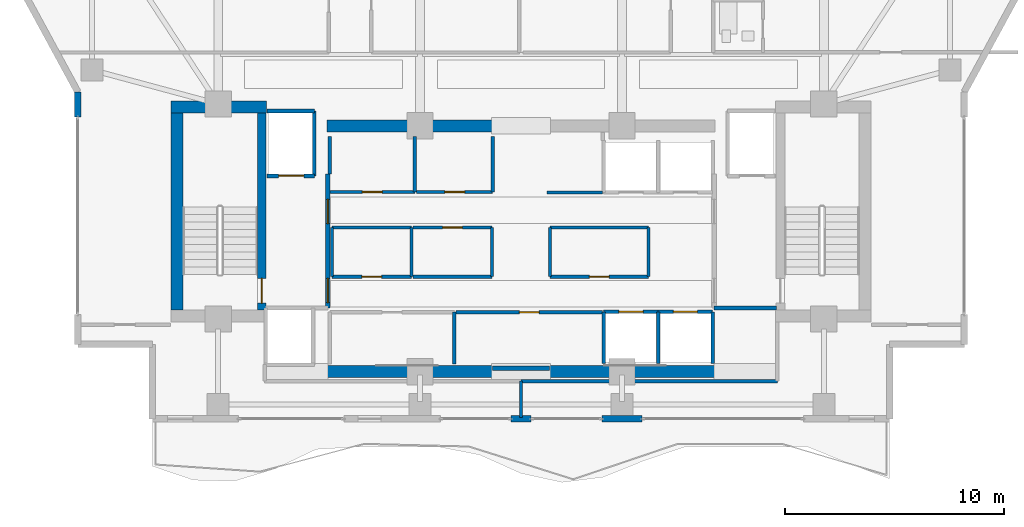
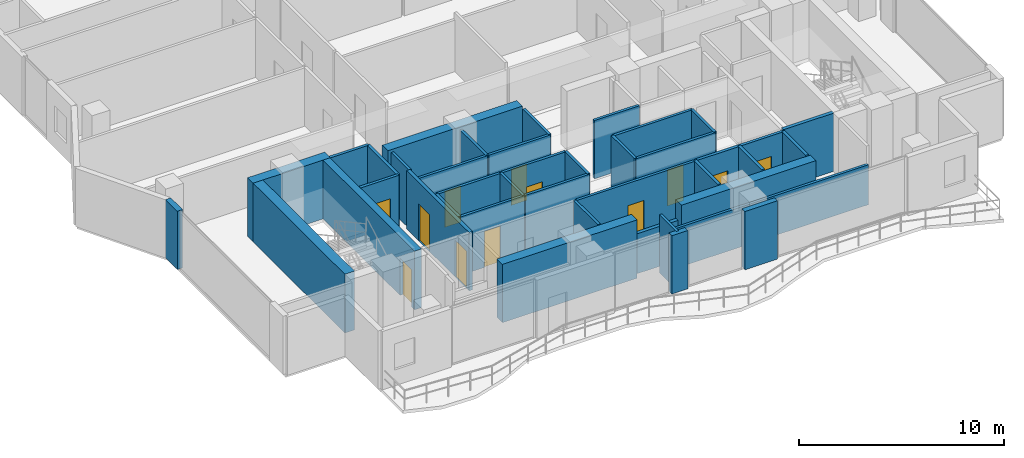
# One storey, part 17 of 23: 41 walls, 12 doors, 12 openings.
"""IFC4 building model written with IfcOpenShell, lengths in metres."""

from ifc_helpers import new_model, si_unit, direction, frame, frame_2d, origin, place, context, subcontext, project, spatial, rectangle, extrude, material, layer, layer_set, type_object, element, fill, save


model = new_model("IFC4")

# Units and contexts
model_context = context("Model", 3, precision=1e-05, world=origin(), true_north=direction((0.0, 1.0)))
body_context = subcontext(model_context, "Body", "Model", "MODEL_VIEW")
ifc_project = project(units=[si_unit("LENGTHUNIT", "METRE"), si_unit("AREAUNIT", "SQUARE_METRE"), si_unit("VOLUMEUNIT", "CUBIC_METRE"), si_unit("PLANEANGLEUNIT", "RADIAN"), si_unit("MASSUNIT", "GRAM", prefix="KILO")], contexts=[model_context])

# Site, building, storey
site_placement = place(None, origin())
site = spatial("IfcSite", under=ifc_project, at=site_placement, CompositionType="ELEMENT")
building_placement = place(site_placement, origin())
building = spatial("IfcBuilding", under=site, at=building_placement, Name="Zuhayl Quay Hotel", CompositionType="ELEMENT")
storey_placement = place(building_placement, frame((0.0, 0.0, 265.550048828125)))
storey = spatial("IfcBuildingStorey", under=building, at=storey_placement, Name="L67", CompositionType="ELEMENT", Elevation=265.550048828125)

# Walls
ifc_material_1 = material(Name="Concrete C50/60", Category="concrete")
ifc_layer_1 = layer(ifc_material_1, 0.550048828125, Name="Concrete C50/60", Category="concrete")
ifc_layer_set_1 = layer_set([ifc_layer_1], Name="Concrete C50/60")
wall_type_1 = type_object("IfcWallType", Name="WL_CORE_550", PredefinedType="SHEAR", material=ifc_layer_set_1)
wall_1_placement = place(storey_placement, frame((-15.9599609375, 14.205078125, 0.0), z_axis=(0.0, 0.0, 1.0), x_axis=(1.0, 0.0, 0.0)))
element("IfcWall", 1, at=wall_1_placement, inside=storey, type_object=wall_type_1, Name="L67 Core Shear Wall CW_NW", PredefinedType="SHEAR", context=body_context, shape_type="SweptSolid", body=[
    extrude(rectangle(XDim=4.35986328125, YDim=0.550048828125, at=frame_2d((2.179931640625, 0.0))), origin(), (0.0, 0.0, 1.0), 3.510009765625),
])
wall_2_placement = place(storey_placement, frame((-15.68505859375, 4.969970703125, 0.0), z_axis=(0.0, 0.0, 1.0), x_axis=(0.0, 1.0, 0.0)))
element("IfcWall", 2, at=wall_2_placement, inside=storey, type_object=wall_type_1, Name="L67 Core Shear Wall CW_W", PredefinedType="SHEAR", context=body_context, shape_type="SweptSolid", body=[
    extrude(rectangle(XDim=8.9599609375, YDim=0.550048828125, at=frame_2d((4.47998046875, 0.0))), origin(), (0.0, 0.0, 1.0), 3.510009765625),
])
for number, where, z_axis, x_axis, name in (
    (3, (-8.85009765625, 2.14990234375, 0.0), (0.0, 0.0, 1.0), (1.0, 0.0, 0.0), "L67 Core Shear Wall CW_SC_W"),
    (4, (1.25, 2.14990234375, 0.0), (0.0, 0.0, 1.0), (1.0, 0.0, 0.0), "L67 Core Shear Wall CW_SC_E"),
    (5, (-8.85009765625, 13.35009765625, 0.0), (0.0, 0.0, 1.0), (1.0, 0.0, 0.0), "L67 Core Shear Wall CW_NC_W"),
):
    element("IfcWall", number, at=place(storey_placement, frame(where, z_axis=z_axis, x_axis=x_axis)), inside=storey, type_object=wall_type_1, Name=name, PredefinedType="SHEAR", context=body_context, shape_type="SweptSolid", body=[
        extrude(rectangle(XDim=7.60009765625, YDim=0.550048828125, at=frame_2d((3.800048828125, 0.0))), origin(), (0.0, 0.0, 1.0), 3.47998046875),
    ])
ifc_material_2 = material(Name="Precast concrete C45/55", Category="concrete")
ifc_layer_2 = layer(ifc_material_2, 0.300048828125, Name="Precast concrete C45/55", Category="concrete")
ifc_layer_set_2 = layer_set([ifc_layer_2], Name="Precast concrete C45/55")
wall_type_2 = type_object("IfcWallType", Name="WL_EXT_300", PredefinedType="STANDARD", material=ifc_layer_set_2)
wall_3_placement = place(storey_placement, frame((-20.199951171875, 13.75, 0.0), z_axis=(0.0, 0.0, 1.0), x_axis=(0.0, 1.0, 0.0)))
element("IfcWall", 6, at=wall_3_placement, inside=storey, type_object=wall_type_2, Name="L67 Exterior Precast Wall ENV_L67_E02_EW2", PredefinedType="STANDARD", context=body_context, shape_type="SweptSolid", body=[
    extrude(rectangle(XDim=1.14990234375, YDim=0.300048828125, at=frame_2d((0.574951171875, 0.0))), origin(), (0.0, 0.0, 1.0), 3.47998046875),
])
wall_4_placement = place(storey_placement, frame((5.52001953125, 0.0, 0.0), z_axis=(0.0, 0.0, 1.0), x_axis=(-1.0, 0.0, 0.0)))
element("IfcWall", 7, at=wall_4_placement, inside=storey, type_object=wall_type_2, Name="L67 Exterior Precast Wall ENV_L67_S_EW2", PredefinedType="STANDARD", context=body_context, shape_type="SweptSolid", body=[
    extrude(rectangle(XDim=1.840087890625, YDim=0.300048828125, at=frame_2d((0.919921875, 0.0))), origin(), (0.0, 0.0, 1.0), 3.47998046875),
])
wall_5_placement = place(storey_placement, frame((0.449951171875, 0.0, 0.0), z_axis=(0.0, 0.0, 1.0), x_axis=(-1.0, 0.0, 0.0)))
element("IfcWall", 8, at=wall_5_placement, inside=storey, type_object=wall_type_2, Name="L67 Exterior Precast Wall ENV_L67_S_EW3", PredefinedType="STANDARD", context=body_context, shape_type="SweptSolid", body=[
    extrude(rectangle(XDim=0.89990234375, YDim=0.300048828125, at=frame_2d((0.449951171875, 0.0))), origin(), (0.0, 0.0, 1.0), 3.47998046875),
])

# Wall, opening, door
ifc_material_3 = material(Name="Acoustic Gypsum Partition STC-58")
ifc_layer_3 = layer(ifc_material_3, 0.14990234375, Name="Acoustic Gypsum Partition STC-58")
ifc_layer_set_3 = layer_set([ifc_layer_3], Name="Acoustic Gypsum Partition STC-58")
wall_type_3 = type_object("IfcWallType", Name="WL_PART_150", PredefinedType="PARTITIONING", material=ifc_layer_set_3)
wall_6_placement = place(storey_placement, frame((-2.9599609375, 4.860107421875, 0.0), z_axis=(0.0, 0.0, 1.0), x_axis=(1.0, 0.0, 0.0)))
wall_6 = element("IfcWall", 9, at=wall_6_placement, inside=storey, type_object=wall_type_3, Name="L67 Partition IW_L67_FMP_SE_N", PredefinedType="PARTITIONING", context=body_context, shape_type="SweptSolid", body=[
    extrude(rectangle(XDim=6.669921875, YDim=0.14990234375, at=frame_2d((3.3349609375, 0.0))), origin(), (0.0, 0.0, 1.0), 3.47998046875),
])
opening_1_placement = place(wall_6_placement, frame((2.885009765625, 0.0, 0.0)))
opening_1 = element("IfcOpeningElement", 10, at=opening_1_placement, cuts=wall_6, Name="Opening D06", PredefinedType="OPENING", context=body_context, shape_type="SweptSolid", body=[
    extrude(rectangle(XDim=0.89990234375, YDim=2.14990234375, at=frame_2d((0.449951171875, 1.074951171875))), frame((0.0, 0.0849609375, 0.0), z_axis=(0.0, -1.0, 0.0), x_axis=(1.0, 0.0, 0.0)), (0.0, 0.0, 1.0), 0.169921875),
])
ifc_material_4 = material(Name="Steel ASTM A992 Grade 50", Category="steel")
door_type_1 = type_object("IfcDoorType", Name="DR_INT_900", OperationType="NOTDEFINED", PredefinedType="DOOR", material=ifc_material_4)
door_1_placement = place(opening_1_placement, origin())
door_1 = element("IfcDoor", 11, at=door_1_placement, inside=storey, type_object=door_type_1, Name="L67 East Butler Store Door", OperationType="SINGLE_SWING_LEFT", OverallHeight=2.14990234375, OverallWidth=0.89990234375, PredefinedType="DOOR", context=body_context, shape_type="SweptSolid", body=[
    extrude(rectangle(XDim=0.89990234375, YDim=2.14990234375, at=frame_2d((0.449951171875, 1.074951171875))), frame((0.0, 0.02490234375, 0.0), z_axis=(0.0, -1.0, 0.0), x_axis=(1.0, 0.0, 0.0)), (0.0, 0.0, 1.0), 0.050048828125),
])
fill(opening_1, door_1)

wall_7_placement = place(storey_placement, frame((-8.7099609375, 10.340087890625, 0.0), z_axis=(0.0, 0.0, 1.0), x_axis=(1.0, 0.0, 0.0)))
wall_7 = element("IfcWall", 12, at=wall_7_placement, inside=storey, type_object=wall_type_3, Name="L67 Partition IW_L67_FMP_NW1_S", PredefinedType="PARTITIONING", context=body_context, shape_type="SweptSolid", body=[
    extrude(rectangle(XDim=3.869873046875, YDim=0.14990234375, at=frame_2d((1.93505859375, 0.0))), origin(), (0.0, 0.0, 1.0), 3.47998046875),
])
opening_2_placement = place(wall_7_placement, frame((1.485107421875, 0.0, 0.0)))
opening_2 = element("IfcOpeningElement", 13, at=opening_2_placement, cuts=wall_7, Name="Opening D06", PredefinedType="OPENING", context=body_context, shape_type="SweptSolid", body=[
    extrude(rectangle(XDim=0.89990234375, YDim=2.14990234375, at=frame_2d((0.449951171875, 1.074951171875))), frame((0.0, 0.0849609375, 0.0), z_axis=(0.0, -1.0, 0.0), x_axis=(1.0, 0.0, 0.0)), (0.0, 0.0, 1.0), 0.169921875),
])
door_2_placement = place(opening_2_placement, origin())
door_2 = element("IfcDoor", 14, at=door_2_placement, inside=storey, type_object=door_type_1, Name="L67 High-Zone Valet Store Door", OperationType="SINGLE_SWING_RIGHT", OverallHeight=2.14990234375, OverallWidth=0.89990234375, PredefinedType="DOOR", context=body_context, shape_type="SweptSolid", body=[
    extrude(rectangle(XDim=0.89990234375, YDim=2.14990234375, at=frame_2d((0.449951171875, 1.074951171875))), frame((0.0, 0.02490234375, 0.0), z_axis=(0.0, -1.0, 0.0), x_axis=(1.0, 0.0, 0.0)), (0.0, 0.0, 1.0), 0.050048828125),
])
fill(opening_2, door_2)

wall_8_placement = place(storey_placement, frame((-4.760009765625, 10.340087890625, 0.0), z_axis=(0.0, 0.0, 1.0), x_axis=(1.0, 0.0, 0.0)))
wall_8 = element("IfcWall", 15, at=wall_8_placement, inside=storey, type_object=wall_type_3, Name="L67 Partition IW_L67_FMP_NW2_S", PredefinedType="PARTITIONING", context=body_context, shape_type="SweptSolid", body=[
    extrude(rectangle(XDim=3.469970703125, YDim=0.14990234375, at=frame_2d((1.73486328125, 0.0))), origin(), (0.0, 0.0, 1.0), 3.47998046875),
])
opening_3_placement = place(wall_8_placement, frame((1.284912109375, 0.0, 0.0)))
opening_3 = element("IfcOpeningElement", 16, at=opening_3_placement, cuts=wall_8, Name="Opening D06", PredefinedType="OPENING", context=body_context, shape_type="SweptSolid", body=[
    extrude(rectangle(XDim=0.89990234375, YDim=2.14990234375, at=frame_2d((0.449951171875, 1.074951171875))), frame((0.0, 0.0849609375, 0.0), z_axis=(0.0, -1.0, 0.0), x_axis=(1.0, 0.0, 0.0)), (0.0, 0.0, 1.0), 0.169921875),
])
door_3_placement = place(opening_3_placement, origin())
door_3 = element("IfcDoor", 17, at=door_3_placement, inside=storey, type_object=door_type_1, Name="L67 North Linen Closet Door", OperationType="SINGLE_SWING_LEFT", OverallHeight=2.14990234375, OverallWidth=0.89990234375, PredefinedType="DOOR", context=body_context, shape_type="SweptSolid", body=[
    extrude(rectangle(XDim=0.89990234375, YDim=2.14990234375, at=frame_2d((0.449951171875, 1.074951171875))), frame((0.0, 0.02490234375, 0.0), z_axis=(0.0, -1.0, 0.0), x_axis=(1.0, 0.0, 0.0)), (0.0, 0.0, 1.0), 0.050048828125),
])
fill(opening_3, door_3)

wall_9_placement = place(storey_placement, frame((-8.610107421875, 6.47998046875, 0.0), z_axis=(0.0, 0.0, 1.0), x_axis=(1.0, 0.0, 0.0)))
wall_9 = element("IfcWall", 18, at=wall_9_placement, inside=storey, type_object=wall_type_3, Name="L67 Partition IW_L67_CORE_SW_S", PredefinedType="PARTITIONING", context=body_context, shape_type="SweptSolid", body=[
    extrude(rectangle(XDim=3.6201171875, YDim=0.14990234375, at=frame_2d((1.81005859375, 0.0))), origin(), (0.0, 0.0, 1.0), 3.47998046875),
])
opening_4_placement = place(wall_9_placement, frame((1.360107421875, 0.0, 0.0)))
opening_4 = element("IfcOpeningElement", 19, at=opening_4_placement, cuts=wall_9, Name="Opening D06", PredefinedType="OPENING", context=body_context, shape_type="SweptSolid", body=[
    extrude(rectangle(XDim=0.89990234375, YDim=2.14990234375, at=frame_2d((0.449951171875, 1.074951171875))), frame((0.0, 0.0849609375, 0.0), z_axis=(0.0, -1.0, 0.0), x_axis=(1.0, 0.0, 0.0)), (0.0, 0.0, 1.0), 0.169921875),
])
door_4_placement = place(opening_4_placement, origin())
door_4 = element("IfcDoor", 20, at=door_4_placement, inside=storey, type_object=door_type_1, Name="L67 Floor Switchgear Closet Door", OperationType="SINGLE_SWING_RIGHT", OverallHeight=2.14990234375, OverallWidth=0.89990234375, PredefinedType="DOOR", context=body_context, shape_type="SweptSolid", body=[
    extrude(rectangle(XDim=0.89990234375, YDim=2.14990234375, at=frame_2d((0.449951171875, 1.074951171875))), frame((0.0, 0.02490234375, 0.0), z_axis=(0.0, -1.0, 0.0), x_axis=(1.0, 0.0, 0.0)), (0.0, 0.0, 1.0), 0.050048828125),
])
fill(opening_4, door_4)

wall_10_placement = place(storey_placement, frame((-4.929931640625, 8.719970703125, 0.0), z_axis=(0.0, 0.0, 1.0), x_axis=(1.0, 0.0, 0.0)))
wall_10 = element("IfcWall", 21, at=wall_10_placement, inside=storey, type_object=wall_type_3, Name="L67 Partition IW_L67_CORE_BM_N", PredefinedType="PARTITIONING", context=body_context, shape_type="SweptSolid", body=[
    extrude(rectangle(XDim=3.60986328125, YDim=0.14990234375, at=frame_2d((1.804931640625, 0.0))), origin(), (0.0, 0.0, 1.0), 3.47998046875),
])
opening_5_placement = place(wall_10_placement, frame((1.35498046875, 0.0, 0.0)))
opening_5 = element("IfcOpeningElement", 22, at=opening_5_placement, cuts=wall_10, Name="Opening D06", PredefinedType="OPENING", context=body_context, shape_type="SweptSolid", body=[
    extrude(rectangle(XDim=0.89990234375, YDim=2.14990234375, at=frame_2d((0.449951171875, 1.074951171875))), frame((0.0, 0.0849609375, 0.0), z_axis=(0.0, -1.0, 0.0), x_axis=(1.0, 0.0, 0.0)), (0.0, 0.0, 1.0), 0.169921875),
])
door_5_placement = place(opening_5_placement, origin())
door_5 = element("IfcDoor", 23, at=door_5_placement, inside=storey, type_object=door_type_1, Name="L67 Telecom and BMS Closet Door", OperationType="SINGLE_SWING_LEFT", OverallHeight=2.14990234375, OverallWidth=0.89990234375, PredefinedType="DOOR", context=body_context, shape_type="SweptSolid", body=[
    extrude(rectangle(XDim=0.89990234375, YDim=2.14990234375, at=frame_2d((0.449951171875, 1.074951171875))), frame((0.0, 0.02490234375, 0.0), z_axis=(0.0, -1.0, 0.0), x_axis=(1.0, 0.0, 0.0)), (0.0, 0.0, 1.0), 0.050048828125),
])
fill(opening_5, door_5)

wall_11_placement = place(storey_placement, frame((1.320068359375, 6.47998046875, 0.0), z_axis=(0.0, 0.0, 1.0), x_axis=(1.0, 0.0, 0.0)))
wall_11 = element("IfcWall", 24, at=wall_11_placement, inside=storey, type_object=wall_type_3, Name="L67 Partition IW_L67_CORE_PN_S", PredefinedType="PARTITIONING", context=body_context, shape_type="SweptSolid", body=[
    extrude(rectangle(XDim=4.489990234375, YDim=0.14990234375, at=frame_2d((2.2451171875, 0.0))), origin(), (0.0, 0.0, 1.0), 3.47998046875),
])
opening_6_placement = place(wall_11_placement, frame((1.794921875, 0.0, 0.0)))
opening_6 = element("IfcOpeningElement", 25, at=opening_6_placement, cuts=wall_11, Name="Opening D06", PredefinedType="OPENING", context=body_context, shape_type="SweptSolid", body=[
    extrude(rectangle(XDim=0.89990234375, YDim=2.14990234375, at=frame_2d((0.449951171875, 1.074951171875))), frame((0.0, 0.0849609375, 0.0), z_axis=(0.0, -1.0, 0.0), x_axis=(1.0, 0.0, 0.0)), (0.0, 0.0, 1.0), 0.169921875),
])
door_6_placement = place(opening_6_placement, origin())
door_6 = element("IfcDoor", 26, at=door_6_placement, inside=storey, type_object=door_type_1, Name="L67 Core Ice and Pantry Room Door", OperationType="SINGLE_SWING_RIGHT", OverallHeight=2.14990234375, OverallWidth=0.89990234375, PredefinedType="DOOR", context=body_context, shape_type="SweptSolid", body=[
    extrude(rectangle(XDim=0.89990234375, YDim=2.14990234375, at=frame_2d((0.449951171875, 1.074951171875))), frame((0.0, 0.02490234375, 0.0), z_axis=(0.0, -1.0, 0.0), x_axis=(1.0, 0.0, 0.0)), (0.0, 0.0, 1.0), 0.050048828125),
])
fill(opening_6, door_6)

# Walls
wall_12_placement = place(storey_placement, frame((-3.0400390625, 2.489990234375, 0.0), z_axis=(0.0, 0.0, 1.0), x_axis=(0.0, 1.0, 0.0)))
element("IfcWall", 27, at=wall_12_placement, inside=storey, type_object=wall_type_3, Name="L67 Partition IW_L67_FMP_SW_E", PredefinedType="PARTITIONING", context=body_context, shape_type="SweptSolid", body=[
    extrude(rectangle(XDim=2.3701171875, YDim=0.14990234375, at=frame_2d((1.18505859375, 0.0))), origin(), (0.0, 0.0, 1.0), 3.47998046875),
])
wall_13_placement = place(storey_placement, frame((-8.7099609375, 11.14990234375, 0.0), z_axis=(0.0, 0.0, 1.0), x_axis=(0.0, 1.0, 0.0)))
element("IfcWall", 28, at=wall_13_placement, inside=storey, type_object=wall_type_3, Name="L67 Partition IW_L67_FMP_NW1_W", PredefinedType="PARTITIONING", context=body_context, shape_type="SweptSolid", body=[
    extrude(rectangle(XDim=1.710205078125, YDim=0.14990234375, at=frame_2d((0.85498046875, 0.0))), origin(), (0.0, 0.0, 1.0), 3.47998046875),
])
for number, where, z_axis, x_axis, name in (
    (29, (-4.840087890625, 10.340087890625, 0.0), (0.0, 0.0, 1.0), (0.0, 1.0, 0.0), "L67 Partition IW_L67_FMP_NW1_E"),
    (30, (-1.2900390625, 10.340087890625, 0.0), (0.0, 0.0, 1.0), (0.0, 1.0, 0.0), "L67 Partition IW_L67_FMP_NW2_E"),
):
    element("IfcWall", number, at=place(storey_placement, frame(where, z_axis=z_axis, x_axis=x_axis)), inside=storey, type_object=wall_type_3, Name=name, PredefinedType="PARTITIONING", context=body_context, shape_type="SweptSolid", body=[
        extrude(rectangle(XDim=2.52001953125, YDim=0.14990234375, at=frame_2d((1.260009765625, 0.0))), origin(), (0.0, 0.0, 1.0), 3.47998046875),
    ])
wall_14_placement = place(storey_placement, frame((-8.610107421875, 8.719970703125, 0.0), z_axis=(0.0, 0.0, 1.0), x_axis=(1.0, 0.0, 0.0)))
element("IfcWall", 31, at=wall_14_placement, inside=storey, type_object=wall_type_3, Name="L67 Partition IW_L67_CORE_SW_N", PredefinedType="PARTITIONING", context=body_context, shape_type="SweptSolid", body=[
    extrude(rectangle(XDim=3.6201171875, YDim=0.14990234375, at=frame_2d((1.81005859375, 0.0))), origin(), (0.0, 0.0, 1.0), 3.47998046875),
])
for number, where, z_axis, x_axis, name in (
    (32, (-8.610107421875, 6.47998046875, 0.0), (0.0, 0.0, 1.0), (0.0, 1.0, 0.0), "L67 Partition IW_L67_CORE_SW_W"),
    (33, (-4.989990234375, 6.47998046875, 0.0), (0.0, 0.0, 1.0), (0.0, 1.0, 0.0), "L67 Partition IW_L67_CORE_SW_E"),
):
    element("IfcWall", number, at=place(storey_placement, frame(where, z_axis=z_axis, x_axis=x_axis)), inside=storey, type_object=wall_type_3, Name=name, PredefinedType="PARTITIONING", context=body_context, shape_type="SweptSolid", body=[
        extrude(rectangle(XDim=2.239990234375, YDim=0.14990234375, at=frame_2d((1.1201171875, 0.0))), origin(), (0.0, 0.0, 1.0), 3.47998046875),
    ])
wall_15_placement = place(storey_placement, frame((-4.929931640625, 6.47998046875, 0.0), z_axis=(0.0, 0.0, 1.0), x_axis=(1.0, 0.0, 0.0)))
element("IfcWall", 34, at=wall_15_placement, inside=storey, type_object=wall_type_3, Name="L67 Partition IW_L67_CORE_BM_S", PredefinedType="PARTITIONING", context=body_context, shape_type="SweptSolid", body=[
    extrude(rectangle(XDim=3.60986328125, YDim=0.14990234375, at=frame_2d((1.804931640625, 0.0))), origin(), (0.0, 0.0, 1.0), 3.47998046875),
])
wall_16_placement = place(storey_placement, frame((-1.320068359375, 6.47998046875, 0.0), z_axis=(0.0, 0.0, 1.0), x_axis=(0.0, 1.0, 0.0)))
element("IfcWall", 35, at=wall_16_placement, inside=storey, type_object=wall_type_3, Name="L67 Partition IW_L67_CORE_BM_E", PredefinedType="PARTITIONING", context=body_context, shape_type="SweptSolid", body=[
    extrude(rectangle(XDim=2.239990234375, YDim=0.14990234375, at=frame_2d((1.1201171875, 0.0))), origin(), (0.0, 0.0, 1.0), 3.47998046875),
])
wall_17_placement = place(storey_placement, frame((1.320068359375, 8.719970703125, 0.0), z_axis=(0.0, 0.0, 1.0), x_axis=(1.0, 0.0, 0.0)))
element("IfcWall", 36, at=wall_17_placement, inside=storey, type_object=wall_type_3, Name="L67 Partition IW_L67_CORE_PN_N", PredefinedType="PARTITIONING", context=body_context, shape_type="SweptSolid", body=[
    extrude(rectangle(XDim=4.489990234375, YDim=0.14990234375, at=frame_2d((2.2451171875, 0.0))), origin(), (0.0, 0.0, 1.0), 3.47998046875),
])
for number, where, z_axis, x_axis, name in (
    (37, (1.320068359375, 6.47998046875, 0.0), (0.0, 0.0, 1.0), (0.0, 1.0, 0.0), "L67 Partition IW_L67_CORE_PN_W"),
    (38, (5.81005859375, 6.47998046875, 0.0), (0.0, 0.0, 1.0), (0.0, 1.0, 0.0), "L67 Partition IW_L67_CORE_PN_E"),
):
    element("IfcWall", number, at=place(storey_placement, frame(where, z_axis=z_axis, x_axis=x_axis)), inside=storey, type_object=wall_type_3, Name=name, PredefinedType="PARTITIONING", context=body_context, shape_type="SweptSolid", body=[
        extrude(rectangle(XDim=2.239990234375, YDim=0.14990234375, at=frame_2d((1.1201171875, 0.0))), origin(), (0.0, 0.0, 1.0), 3.47998046875),
    ])
wall_18_placement = place(storey_placement, frame((1.179931640625, 10.320068359375, 0.0), z_axis=(0.0, 0.0, 1.0), x_axis=(1.0, 0.0, 0.0)))
element("IfcWall", 39, at=wall_18_placement, inside=storey, type_object=wall_type_3, Name="L67 Partition IW_L67_VEST_MP4_S", PredefinedType="PARTITIONING", context=body_context, shape_type="SweptSolid", body=[
    extrude(rectangle(XDim=2.5400390625, YDim=0.14990234375, at=frame_2d((1.27001953125, 0.0))), origin(), (0.0, 0.0, 1.0), 3.47998046875),
])
wall_19_placement = place(storey_placement, frame((0.0, 1.719970703125, 0.0), z_axis=(0.0, 0.0, 1.0), x_axis=(1.0, 0.0, 0.0)))
element("IfcWall", 40, at=wall_19_placement, inside=storey, type_object=wall_type_3, Name="L67 Partition IW_L67_Z4_SUN_SE_SN", PredefinedType="PARTITIONING", context=body_context, shape_type="SweptSolid", body=[
    extrude(rectangle(XDim=11.679931640625, YDim=0.14990234375, at=frame_2d((5.83984375, 0.0))), origin(), (0.0, 0.0, 1.0), 2.3798828125),
])
wall_20_placement = place(storey_placement, frame((0.0, 0.06005859375, 0.0), z_axis=(0.0, 0.0, 1.0), x_axis=(0.0, 1.0, 0.0)))
element("IfcWall", 41, at=wall_20_placement, inside=storey, type_object=wall_type_3, Name="L67 Partition IW_L67_Z4_SUN_MID", PredefinedType="PARTITIONING", context=body_context, shape_type="SweptSolid", body=[
    extrude(rectangle(XDim=1.659912109375, YDim=0.14990234375, at=frame_2d((0.830078125, 0.0))), origin(), (0.0, 0.0, 1.0), 3.47998046875),
])

# Wall, opening, door
ifc_material_5 = material(Name="Gypsum Fireboard Assembly EI-90")
ifc_layer_4 = layer(ifc_material_5, 0.1650390625, Name="Gypsum Fireboard Assembly EI-90")
ifc_layer_set_4 = layer_set([ifc_layer_4], Name="Gypsum Fireboard Assembly EI-90")
wall_type_4 = type_object("IfcWallType", Name="WL_PART_SHAFT_160", PredefinedType="PARTITIONING", material=ifc_layer_set_4)
wall_21_placement = place(storey_placement, frame((-11.580078125, 11.070068359375, 0.0), z_axis=(0.0, 0.0, 1.0), x_axis=(1.0, 0.0, 0.0)))
wall_21 = element("IfcWall", 42, at=wall_21_placement, inside=storey, type_object=wall_type_4, Name="L67 Partition IW_L67_SH_FL1_F", PredefinedType="PARTITIONING", context=body_context, shape_type="SweptSolid", body=[
    extrude(rectangle(XDim=2.16015625, YDim=0.1650390625, at=frame_2d((1.080078125, 0.0))), origin(), (0.0, 0.0, 1.0), 3.47998046875),
])
opening_7_placement = place(wall_21_placement, frame((0.530029296875, 0.0, 0.0)))
opening_7 = element("IfcOpeningElement", 43, at=opening_7_placement, cuts=wall_21, Name="Opening LD2", PredefinedType="OPENING", context=body_context, shape_type="SweptSolid", body=[
    extrude(rectangle(XDim=1.14990234375, YDim=2.25, at=frame_2d((0.574951171875, 1.125))), frame((0.0, 0.092529296875, 0.0), z_axis=(0.0, -1.0, 0.0), x_axis=(1.0, 0.0, 0.0)), (0.0, 0.0, 1.0), 0.18505859375),
])
ifc_material_6 = material(Name="Brushed Stainless Steel", Category="steel")
door_type_2 = type_object("IfcDoorType", Name="DR_LIFT_FF_1100", OperationType="SLIDING_TO_LEFT", PredefinedType="DOOR", material=ifc_material_6)
door_7_placement = place(opening_7_placement, origin())
door_7 = element("IfcDoor", 44, at=door_7_placement, inside=storey, type_object=door_type_2, Name="L67 Lift FL1 Sliding Landing Door", OperationType="SLIDING_TO_LEFT", OverallHeight=2.25, OverallWidth=1.14990234375, PredefinedType="DOOR", context=body_context, shape_type="SweptSolid", body=[
    extrude(rectangle(XDim=1.14990234375, YDim=2.25, at=frame_2d((0.574951171875, 1.125))), frame((0.0, 0.02490234375, 0.0), z_axis=(0.0, -1.0, 0.0), x_axis=(1.0, 0.0, 0.0)), (0.0, 0.0, 1.0), 0.050048828125),
])
fill(opening_7, door_7)

wall_22_placement = place(storey_placement, frame((3.77001953125, 4.8798828125, 0.0), z_axis=(0.0, 0.0, 1.0), x_axis=(1.0, 0.0, 0.0)))
wall_22 = element("IfcWall", 45, at=wall_22_placement, inside=storey, type_object=wall_type_4, Name="L67 Partition IW_L67_SH_HP1_F", PredefinedType="PARTITIONING", context=body_context, shape_type="SweptSolid", body=[
    extrude(rectangle(XDim=2.47998046875, YDim=0.1650390625, at=frame_2d((1.239990234375, 0.0))), origin(), (0.0, 0.0, 1.0), 3.47998046875),
])
opening_8_placement = place(wall_22_placement, frame((0.68994140625, 0.0, 0.0)))
opening_8 = element("IfcOpeningElement", 46, at=opening_8_placement, cuts=wall_22, Name="Opening LD1", PredefinedType="OPENING", context=body_context, shape_type="SweptSolid", body=[
    extrude(rectangle(XDim=1.10009765625, YDim=2.25, at=frame_2d((0.550048828125, 1.125))), frame((0.0, 0.092529296875, 0.0), z_axis=(0.0, -1.0, 0.0), x_axis=(1.0, 0.0, 0.0)), (0.0, 0.0, 1.0), 0.18505859375),
])
door_type_3 = type_object("IfcDoorType", Name="DR_LIFT_PASS_1100", OperationType="SLIDING_TO_LEFT", PredefinedType="DOOR", material=ifc_material_6)
door_8_placement = place(opening_8_placement, origin())
door_8 = element("IfcDoor", 47, at=door_8_placement, inside=storey, type_object=door_type_3, Name="L67 Lift HP1 Sliding Landing Door", OperationType="SLIDING_TO_LEFT", OverallHeight=2.25, OverallWidth=1.10009765625, PredefinedType="DOOR", context=body_context, shape_type="SweptSolid", body=[
    extrude(rectangle(XDim=1.10009765625, YDim=2.25, at=frame_2d((0.550048828125, 1.125))), frame((0.0, 0.02490234375, 0.0), z_axis=(0.0, -1.0, 0.0), x_axis=(1.0, 0.0, 0.0)), (0.0, 0.0, 1.0), 0.050048828125),
])
fill(opening_8, door_8)

wall_23_placement = place(storey_placement, frame((6.25, 4.8798828125, 0.0), z_axis=(0.0, 0.0, 1.0), x_axis=(1.0, 0.0, 0.0)))
wall_23 = element("IfcWall", 48, at=wall_23_placement, inside=storey, type_object=wall_type_4, Name="L67 Partition IW_L67_SH_HP2_F", PredefinedType="PARTITIONING", context=body_context, shape_type="SweptSolid", body=[
    extrude(rectangle(XDim=2.47998046875, YDim=0.1650390625, at=frame_2d((1.239990234375, 0.0))), origin(), (0.0, 0.0, 1.0), 3.47998046875),
])
opening_9_placement = place(wall_23_placement, frame((0.68994140625, 0.0, 0.0)))
opening_9 = element("IfcOpeningElement", 49, at=opening_9_placement, cuts=wall_23, Name="Opening LD1", PredefinedType="OPENING", context=body_context, shape_type="SweptSolid", body=[
    extrude(rectangle(XDim=1.10009765625, YDim=2.25, at=frame_2d((0.550048828125, 1.125))), frame((0.0, 0.092529296875, 0.0), z_axis=(0.0, -1.0, 0.0), x_axis=(1.0, 0.0, 0.0)), (0.0, 0.0, 1.0), 0.18505859375),
])
door_9_placement = place(opening_9_placement, origin())
door_9 = element("IfcDoor", 50, at=door_9_placement, inside=storey, type_object=door_type_3, Name="L67 Lift HP2 Sliding Landing Door", OperationType="SLIDING_TO_LEFT", OverallHeight=2.25, OverallWidth=1.10009765625, PredefinedType="DOOR", context=body_context, shape_type="SweptSolid", body=[
    extrude(rectangle(XDim=1.10009765625, YDim=2.25, at=frame_2d((0.550048828125, 1.125))), frame((0.0, 0.02490234375, 0.0), z_axis=(0.0, -1.0, 0.0), x_axis=(1.0, 0.0, 0.0)), (0.0, 0.0, 1.0), 0.050048828125),
])
fill(opening_9, door_9)

# Walls
wall_24_placement = place(storey_placement, frame((-9.419921875, 11.070068359375, 0.0), z_axis=(0.0, 0.0, 1.0), x_axis=(0.0, 1.0, 0.0)))
element("IfcWall", 51, at=wall_24_placement, inside=storey, type_object=wall_type_4, Name="L67 Partition IW_L67_SH_FL1_E", PredefinedType="PARTITIONING", context=body_context, shape_type="SweptSolid", body=[
    extrude(rectangle(XDim=2.9599609375, YDim=0.1650390625, at=frame_2d((1.47998046875, 0.0))), origin(), (0.0, 0.0, 1.0), 3.47998046875),
])
wall_25_placement = place(storey_placement, frame((-11.580078125, 14.030029296875, 0.0), z_axis=(0.0, 0.0, 1.0), x_axis=(1.0, 0.0, 0.0)))
element("IfcWall", 52, at=wall_25_placement, inside=storey, type_object=wall_type_4, Name="L67 Partition IW_L67_SH_FL1_B", PredefinedType="PARTITIONING", context=body_context, shape_type="SweptSolid", body=[
    extrude(rectangle(XDim=2.16015625, YDim=0.1650390625, at=frame_2d((1.080078125, 0.0))), origin(), (0.0, 0.0, 1.0), 3.47998046875),
])
for number, where, z_axis, x_axis, name in (
    (53, (3.77001953125, 2.52001953125, 0.0), (0.0, 0.0, 1.0), (0.0, 1.0, 0.0), "L67 Partition IW_L67_SH_HP1_W"),
    (54, (6.25, 2.52001953125, 0.0), (0.0, 0.0, 1.0), (0.0, 1.0, 0.0), "L67 Partition IW_L67_SH_HP1_E"),
    (55, (8.72998046875, 2.52001953125, 0.0), (0.0, 0.0, 1.0), (0.0, 1.0, 0.0), "L67 Partition IW_L67_SH_HP2_E"),
):
    element("IfcWall", number, at=place(storey_placement, frame(where, z_axis=z_axis, x_axis=x_axis)), inside=storey, type_object=wall_type_4, Name=name, PredefinedType="PARTITIONING", context=body_context, shape_type="SweptSolid", body=[
        extrude(rectangle(XDim=2.35986328125, YDim=0.1650390625, at=frame_2d((1.179931640625, 0.0))), origin(), (0.0, 0.0, 1.0), 3.47998046875),
    ])

# Wall, openings, doors
ifc_material_7 = material(Name="Gypsum Fireboard Assembly EI-120")
ifc_layer_5 = layer(ifc_material_7, 0.199951171875, Name="Gypsum Fireboard Assembly EI-120")
ifc_layer_set_5 = layer_set([ifc_layer_5], Name="Gypsum Fireboard Assembly EI-120")
wall_type_5 = type_object("IfcWallType", Name="WL_PART_SHAFT_200", PredefinedType="PARTITIONING", material=ifc_layer_set_5)
wall_26_placement = place(storey_placement, frame((-8.800048828125, 5.050048828125, 0.0), z_axis=(0.0, 0.0, 1.0), x_axis=(0.0, 1.0, 0.0)))
wall_26 = element("IfcWall", 56, at=wall_26_placement, inside=storey, type_object=wall_type_5, Name="L67 Partition IW_L67_FSAE_W_E", PredefinedType="PARTITIONING", context=body_context, shape_type="SweptSolid", body=[
    extrude(rectangle(XDim=6.099853515625, YDim=0.199951171875, at=frame_2d((3.0498046875, 0.0))), origin(), (0.0, 0.0, 1.0), 3.47998046875),
])
opening_10_placement = place(wall_26_placement, frame((0.25, 0.0, 0.0)))
opening_10 = element("IfcOpeningElement", 57, at=opening_10_placement, cuts=wall_26, Name="Opening D02", PredefinedType="OPENING", context=body_context, shape_type="SweptSolid", body=[
    extrude(rectangle(XDim=1.10009765625, YDim=2.199951171875, at=frame_2d((0.550048828125, 1.10009765625))), frame((0.0, 0.10986328125, 0.0), z_axis=(0.0, -1.0, 0.0), x_axis=(1.0, 0.0, 0.0)), (0.0, 0.0, 1.0), 0.219970703125),
])
opening_11_placement = place(wall_26_placement, frame((3.85009765625, 0.0, 0.0)))
opening_11 = element("IfcOpeningElement", 58, at=opening_11_placement, cuts=wall_26, Name="Opening D02", PredefinedType="OPENING", context=body_context, shape_type="SweptSolid", body=[
    extrude(rectangle(XDim=1.10009765625, YDim=2.199951171875, at=frame_2d((0.550048828125, 1.10009765625))), frame((0.0, 0.10986328125, 0.0), z_axis=(0.0, -1.0, 0.0), x_axis=(1.0, 0.0, 0.0)), (0.0, 0.0, 1.0), 0.219970703125),
])
door_type_4 = type_object("IfcDoorType", Name="DR_FIRE_90_1100", OperationType="NOTDEFINED", PredefinedType="DOOR", material=ifc_material_4)
door_10_placement = place(opening_10_placement, origin())
door_10 = element("IfcDoor", 59, at=door_10_placement, inside=storey, type_object=door_type_4, Name="L67 FSAE Lobby West South Entry Door", OperationType="SINGLE_SWING_RIGHT", OverallHeight=2.199951171875, OverallWidth=1.10009765625, PredefinedType="DOOR", context=body_context, shape_type="SweptSolid", body=[
    extrude(rectangle(XDim=1.10009765625, YDim=2.199951171875, at=frame_2d((0.550048828125, 1.10009765625))), frame((0.0, 0.02490234375, 0.0), z_axis=(0.0, -1.0, 0.0), x_axis=(1.0, 0.0, 0.0)), (0.0, 0.0, 1.0), 0.050048828125),
])
fill(opening_10, door_10)
door_11_placement = place(opening_11_placement, origin())
door_11 = element("IfcDoor", 60, at=door_11_placement, inside=storey, type_object=door_type_4, Name="L67 FSAE Lobby West North Entry Door", OperationType="SINGLE_SWING_LEFT", OverallHeight=2.199951171875, OverallWidth=1.10009765625, PredefinedType="DOOR", context=body_context, shape_type="SweptSolid", body=[
    extrude(rectangle(XDim=1.10009765625, YDim=2.199951171875, at=frame_2d((0.550048828125, 1.10009765625))), frame((0.0, 0.02490234375, 0.0), z_axis=(0.0, -1.0, 0.0), x_axis=(1.0, 0.0, 0.0)), (0.0, 0.0, 1.0), 0.050048828125),
])
fill(opening_11, door_11)

# Walls
wall_27_placement = place(storey_placement, frame((8.800048828125, 5.050048828125, 0.0), z_axis=(0.0, 0.0, 1.0), x_axis=(1.0, 0.0, 0.0)))
element("IfcWall", 61, at=wall_27_placement, inside=storey, type_object=wall_type_5, Name="L67 Partition IW_L67_FSAE_E_S", PredefinedType="PARTITIONING", context=body_context, shape_type="SweptSolid", body=[
    extrude(rectangle(XDim=2.849853515625, YDim=0.199951171875, at=frame_2d((1.4248046875, 0.0))), origin(), (0.0, 0.0, 1.0), 3.47998046875),
])
wall_28_placement = place(storey_placement, frame((-1.300048828125, 2.300048828125, 0.0), z_axis=(0.0, 0.0, 1.0), x_axis=(1.0, 0.0, 0.0)))
element("IfcWall", 62, at=wall_28_placement, inside=storey, type_object=wall_type_5, Name="L67 Partition IW_L67_CORE_SCM", PredefinedType="PARTITIONING", context=body_context, shape_type="SweptSolid", body=[
    extrude(rectangle(XDim=2.60009765625, YDim=0.199951171875, at=frame_2d((1.300048828125, 0.0))), origin(), (0.0, 0.0, 1.0), 2.3798828125),
])

# Wall, opening, door
ifc_material_8 = material(Name="Concrete C60/75", Category="concrete")
ifc_layer_6 = layer(ifc_material_8, 0.39990234375, Name="Concrete C60/75", Category="concrete")
ifc_layer_set_6 = layer_set([ifc_layer_6], Name="Concrete C60/75")
wall_type_6 = type_object("IfcWallType", Name="WL_STAIR_400", PredefinedType="SHEAR", material=ifc_layer_set_6)
wall_29_placement = place(storey_placement, frame((-11.820068359375, 4.969970703125, 0.0), z_axis=(0.0, 0.0, 1.0), x_axis=(0.0, 1.0, 0.0)))
wall_29 = element("IfcWall", 63, at=wall_29_placement, inside=storey, type_object=wall_type_6, Name="L67 Core Shear Wall SW_ST1", PredefinedType="SHEAR", context=body_context, shape_type="SweptSolid", body=[
    extrude(rectangle(XDim=8.9599609375, YDim=0.39990234375, at=frame_2d((4.47998046875, 0.0))), origin(), (0.0, 0.0, 1.0), 3.510009765625),
])
opening_12_placement = place(wall_29_placement, frame((0.31005859375, 0.0, 0.0)))
opening_12 = element("IfcOpeningElement", 64, at=opening_12_placement, cuts=wall_29, Name="Opening D01", PredefinedType="OPENING", context=body_context, shape_type="SweptSolid", body=[
    extrude(rectangle(XDim=1.1201171875, YDim=2.219970703125, at=frame_2d((0.56005859375, 1.10986328125))), frame((0.0, 0.2099609375, 0.0), z_axis=(0.0, -1.0, 0.0), x_axis=(1.0, 0.0, 0.0)), (0.0, 0.0, 1.0), 0.419921875),
])
door_type_5 = type_object("IfcDoorType", Name="DR_STAIR_90_1100", OperationType="NOTDEFINED", PredefinedType="DOOR", material=ifc_material_4)
door_12_placement = place(opening_12_placement, origin())
door_12 = element("IfcDoor", 65, at=door_12_placement, inside=storey, type_object=door_type_5, Name="L67 Smokeproof Exit Stair ST1 Door", OperationType="SINGLE_SWING_LEFT", OverallHeight=2.219970703125, OverallWidth=1.1201171875, PredefinedType="DOOR", context=body_context, shape_type="SweptSolid", body=[
    extrude(rectangle(XDim=1.1201171875, YDim=2.219970703125, at=frame_2d((0.56005859375, 1.10986328125))), frame((0.0, 0.02490234375, 0.0), z_axis=(0.0, -1.0, 0.0), x_axis=(1.0, 0.0, 0.0)), (0.0, 0.0, 1.0), 0.050048828125),
])
fill(opening_12, door_12)

save(model, "model.ifc")
